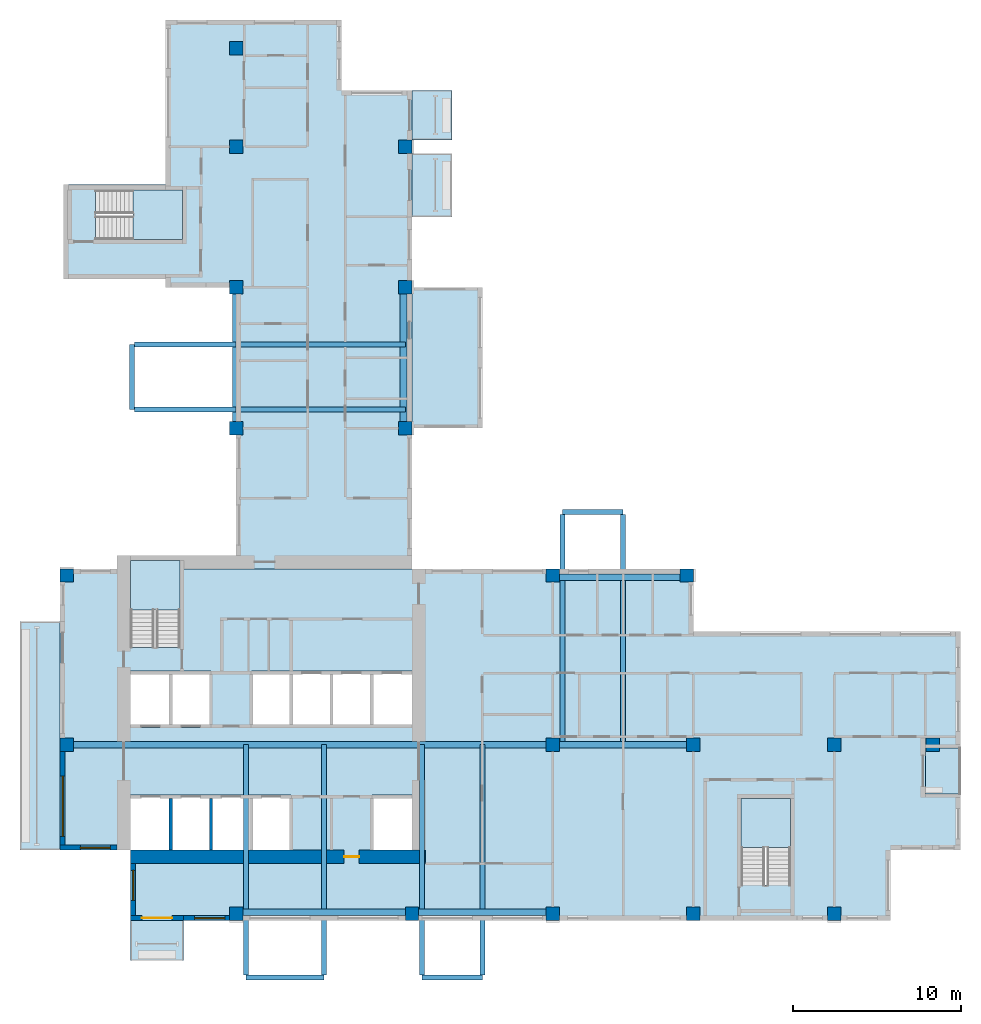
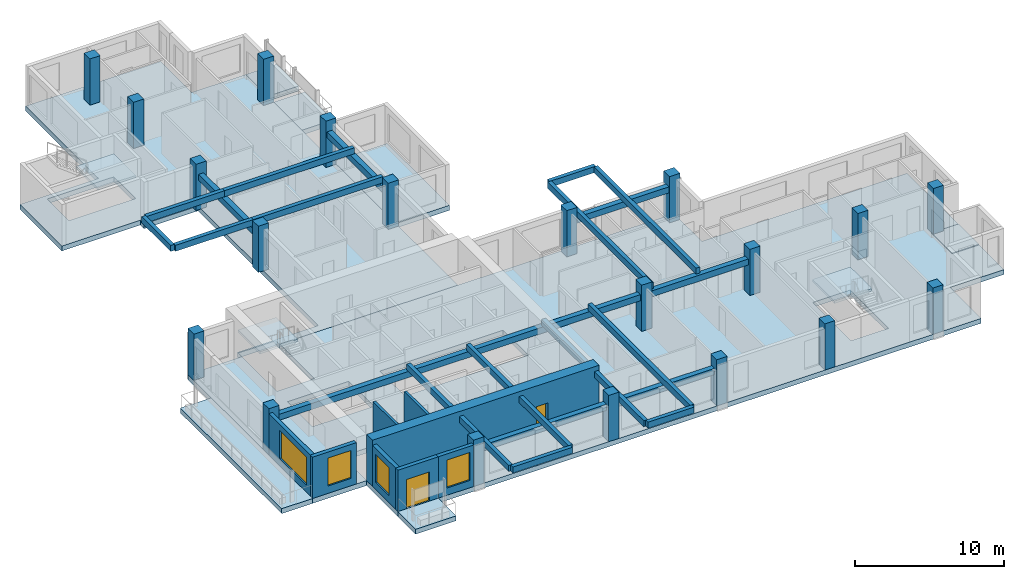
# One storey, part 1 of 12: 21 beams, 20 columns, 11 slabs, 8 walls, 4 windows, 2 doors, 6 openings, 3 elements without a shape of their own.
"""IFC4 building model written with IfcOpenShell, lengths in metres."""

from ifc_helpers import new_model, si_unit, direction, frame, frame_2d, origin, origin_2d, place, context, subcontext, project, spatial, polyline, rectangle, outline, extrude, source, transform, mapped, material, layer, layer_set, material_profile, profile_set, type_object, element, fill, aggregate, save


model = new_model("IFC4")

# Units and contexts
model_context = context("Model", 3, precision=1e-05, world=origin(), true_north=direction((0.0, 1.0)))
body_context = subcontext(model_context, "Body", "Model", "MODEL_VIEW")
ifc_project = project(units=[si_unit("LENGTHUNIT", "METRE"), si_unit("AREAUNIT", "SQUARE_METRE"), si_unit("VOLUMEUNIT", "CUBIC_METRE"), si_unit("PLANEANGLEUNIT", "RADIAN"), si_unit("MASSUNIT", "GRAM", prefix="KILO")], contexts=[model_context])

# Site, building, storey
site_placement = place(None, origin())
site = spatial("IfcSite", under=ifc_project, at=site_placement, CompositionType="ELEMENT")
building_placement = place(site_placement, origin())
building = spatial("IfcBuilding", under=site, at=building_placement, Name="Aurelian Terraces", CompositionType="ELEMENT")
storey_placement = place(building_placement, frame((0.0, 0.0, 238.6)))
storey = spatial("IfcBuildingStorey", under=building, at=storey_placement, Name="L54", CompositionType="ELEMENT", Elevation=238.6)

# Columns
ifc_material_1 = material(Name="Concrete fc' 70 MPa", Category="concrete")
ifc_material_profile_1 = material_profile(ifc_material_1, rectangle(XDim=0.8, YDim=0.8, at=origin_2d()))
ifc_profile_set_1 = profile_set([ifc_material_profile_1], Name="Concrete fc' 70 MPa")
column_type = type_object("IfcColumnType", Name="RC COLUMN 800X800 FC70", PredefinedType="COLUMN", material=ifc_profile_set_1)
shared_shape_1 = source(origin(), body_context, "Body", "SweptSolid", [
    extrude(rectangle(XDim=0.8, YDim=0.8, at=origin_2d()), origin(), (0.0, 0.0, 1.0), 3.8),
])
for number, where, z_axis, x_axis, name in (
    (1, (10.5, 0.4, 0.0), (0.0, 0.0, 1.0), (1.0, 0.0, 0.0), "Column 2/A L54"),
    (2, (21.0, 0.4, 0.0), (0.0, 0.0, 1.0), (1.0, 0.0, 0.0), "Column 3/A L54"),
    (3, (29.4, 0.4, 0.0), (0.0, 0.0, 1.0), (1.0, 0.0, 0.0), "Column 4/A L54"),
    (4, (37.8, 0.4, 0.0), (0.0, 0.0, 1.0), (1.0, 0.0, 0.0), "Column 5/A L54"),
    (5, (46.2, 0.4, 0.0), (0.0, 0.0, 1.0), (1.0, 0.0, 0.0), "Column 6/A L54"),
    (6, (0.4, 10.5, 0.0), (0.0, 0.0, 1.0), (1.0, 0.0, 0.0), "Column 1/B L54"),
    (7, (29.4, 10.5, 0.0), (0.0, 0.0, 1.0), (1.0, 0.0, 0.0), "Column 4/B L54"),
    (8, (37.8, 10.5, 0.0), (0.0, 0.0, 1.0), (1.0, 0.0, 0.0), "Column 5/B L54"),
    (9, (46.2, 10.5, 0.0), (0.0, 0.0, 1.0), (1.0, 0.0, 0.0), "Column 6/B L54"),
    (10, (52.08, 10.5, 0.0), (0.0, 0.0, 1.0), (1.0, 0.0, 0.0), "Column 7/B L54"),
    (11, (0.4, 20.6, 0.0), (0.0, 0.0, 1.0), (1.0, 0.0, 0.0), "Column 1/C L54"),
    (12, (29.4, 20.6, 0.0), (0.0, 0.0, 1.0), (1.0, 0.0, 0.0), "Column 4/C L54"),
    (13, (37.4, 20.6, 0.0), (0.0, 0.0, 1.0), (1.0, 0.0, 0.0), "Column 5/C L54"),
    (14, (10.5, 29.4, 0.0), (0.0, 0.0, 1.0), (1.0, 0.0, 0.0), "Column 2/D L54"),
    (15, (20.6, 29.4, 0.0), (0.0, 0.0, 1.0), (1.0, 0.0, 0.0), "Column 3/D L54"),
    (16, (10.5, 37.8, 0.0), (0.0, 0.0, 1.0), (1.0, 0.0, 0.0), "Column 2/E L54"),
    (17, (20.6, 37.8, 0.0), (0.0, 0.0, 1.0), (1.0, 0.0, 0.0), "Column 3/E L54"),
    (18, (10.5, 46.2, 0.0), (0.0, 0.0, 1.0), (1.0, 0.0, 0.0), "Column 2/F L54"),
    (19, (20.6, 46.2, 0.0), (0.0, 0.0, 1.0), (1.0, 0.0, 0.0), "Column 3/F L54"),
    (20, (10.5, 52.08, 0.0), (0.0, 0.0, 1.0), (1.0, 0.0, 0.0), "Column 2/G L54"),
):
    element("IfcColumn", number, at=place(storey_placement, frame(where, z_axis=z_axis, x_axis=x_axis)), inside=storey, type_object=column_type, Name=name, PredefinedType="COLUMN", context=body_context, shape_type="MappedRepresentation", body=[
        mapped(shared_shape_1, transform((0.0, 0.0, 0.0), scale=1.0)),
    ])

# Beams
ifc_material_2 = material(Name="Concrete fc' 40 MPa", Category="concrete")
ifc_material_profile_2 = material_profile(ifc_material_2, rectangle(XDim=0.3, YDim=0.5, at=origin_2d()))
ifc_profile_set_2 = profile_set([ifc_material_profile_2], Name="Concrete fc' 40 MPa")
beam_type_1 = type_object("IfcBeamType", Name="CONCRETE CANTILEVER BEAM 300X500", PredefinedType="BEAM", material=ifc_profile_set_2)
beam_1_placement = place(storey_placement, frame((10.5, 30.5, 3.15), z_axis=(1.0, 0.0, 0.0), x_axis=(0.0, 1.0, 0.0)))
element("IfcBeam", 21, at=beam_1_placement, inside=storey, type_object=beam_type_1, Name="Box back-span beam J82.1", PredefinedType="BEAM", context=body_context, shape_type="SweptSolid", body=[
    extrude(rectangle(XDim=0.3, YDim=0.5, at=origin_2d()), origin(), (0.0, 0.0, 1.0), 10.1),
])
ifc_material_profile_3 = material_profile(ifc_material_2, rectangle(XDim=0.4, YDim=0.5, at=origin_2d()))
ifc_profile_set_3 = profile_set([ifc_material_profile_3], Name="Concrete fc' 40 MPa")
beam_type_2 = type_object("IfcBeamType", Name="CONCRETE EDGE GIRDER 400X500", PredefinedType="BEAM", material=ifc_profile_set_3)
shared_shape_2 = source(origin(), body_context, "Body", "SweptSolid", [
    extrude(rectangle(XDim=0.4, YDim=0.5, at=origin_2d()), origin(), (0.0, 0.0, 1.0), 7.2),
])
beam_2_placement = place(storey_placement, frame((29.8, 20.5, 2.65), z_axis=(1.0, 0.0, 0.0), x_axis=(0.0, 1.0, 0.0)))
element("IfcBeam", 22, at=beam_2_placement, inside=storey, type_object=beam_type_2, Name="Box girder L54 O157", PredefinedType="BEAM", context=body_context, shape_type="MappedRepresentation", body=[
    mapped(shared_shape_2, transform((0.0, 0.0, 0.0), scale=1.0)),
])
ifc_material_profile_4 = material_profile(ifc_material_2, rectangle(XDim=0.3, YDim=0.5, at=origin_2d()))
ifc_profile_set_4 = profile_set([ifc_material_profile_4], Name="Concrete fc' 40 MPa")
beam_type_3 = type_object("IfcBeamType", Name="CONCRETE BOX CANTILEVER BEAM 300X500", PredefinedType="BEAM", material=ifc_profile_set_4)
shared_shape_3 = source(origin(), body_context, "Body", "SweptSolid", [
    extrude(rectangle(XDim=0.3, YDim=0.5, at=origin_2d()), origin(), (0.0, 0.0, 1.0), 6.05),
])
for number, where, z_axis, x_axis, name in (
    (23, (4.45, 30.5, 3.15), (1.0, 0.0, 0.0), (0.0, 1.0, 0.0), "Box cantilever beam J82.1"),
    (24, (4.45, 34.4, 3.15), (1.0, 0.0, 0.0), (0.0, 1.0, 0.0), "Box cantilever beam J82.2"),
):
    element("IfcBeam", number, at=place(storey_placement, frame(where, z_axis=z_axis, x_axis=x_axis)), inside=storey, type_object=beam_type_3, Name=name, PredefinedType="BEAM", context=body_context, shape_type="MappedRepresentation", body=[
        mapped(shared_shape_3, transform((0.0, 0.0, 0.0), scale=1.0)),
    ])
shared_shape_4 = source(origin(), body_context, "Body", "SweptSolid", [
    extrude(rectangle(XDim=0.3, YDim=0.5, at=origin_2d()), origin(), (0.0, 0.0, 1.0), 3.9),
])
beam_3_placement = place(storey_placement, frame((4.3, 30.5, 3.15), z_axis=(0.0, 1.0, 0.0), x_axis=(-1.0, 0.0, 0.0)))
element("IfcBeam", 25, at=beam_3_placement, inside=storey, type_object=beam_type_1, Name="Box tip beam J82", PredefinedType="BEAM", context=body_context, shape_type="MappedRepresentation", body=[
    mapped(shared_shape_4, transform((0.0, 0.0, 0.0), scale=1.0)),
])
shared_shape_5 = source(origin(), body_context, "Body", "SweptSolid", [
    extrude(rectangle(XDim=0.3, YDim=0.5, at=origin_2d()), origin(), (0.0, 0.0, 1.0), 13.75),
])
for number, where, z_axis, x_axis, name in (
    (26, (11.1, -3.25, 3.15), (0.0, 1.0, 0.0), (-1.0, 0.0, 0.0), "Box cantilever beam J79.1"),
    (27, (15.75, -3.25, 3.15), (0.0, 1.0, 0.0), (-1.0, 0.0, 0.0), "Box cantilever beam J79.2"),
    (28, (21.6, -3.25, 3.15), (0.0, 1.0, 0.0), (-1.0, 0.0, 0.0), "Box cantilever beam J80.1"),
    (29, (25.2, -3.25, 3.15), (0.0, 1.0, 0.0), (-1.0, 0.0, 0.0), "Box cantilever beam J80.2"),
    (30, (30.0, 24.25, 3.15), (0.0, -1.0, 0.0), (1.0, 0.0, 0.0), "Box cantilever beam J81.1"),
    (31, (33.6, 24.25, 3.15), (0.0, -1.0, 0.0), (1.0, 0.0, 0.0), "Box cantilever beam J81.2"),
):
    element("IfcBeam", number, at=place(storey_placement, frame(where, z_axis=z_axis, x_axis=x_axis)), inside=storey, type_object=beam_type_1, Name=name, PredefinedType="BEAM", context=body_context, shape_type="MappedRepresentation", body=[
        mapped(shared_shape_5, transform((0.0, 0.0, 0.0), scale=1.0)),
    ])
shared_shape_6 = source(origin(), body_context, "Body", "SweptSolid", [
    extrude(rectangle(XDim=0.4, YDim=0.5, at=origin_2d()), origin(), (0.0, 0.0, 1.0), 7.6),
])
for number, where, z_axis, x_axis, name in (
    (32, (21.4, 0.5, 2.65), (1.0, 0.0, 0.0), (0.0, 1.0, 0.0), "Box girder L54 O156"),
    (33, (29.8, 10.5, 2.65), (1.0, 0.0, 0.0), (0.0, 1.0, 0.0), "Box girder L54 I158"),
    (34, (10.5, 29.8, 2.65), (0.0, 1.0, 0.0), (-1.0, 0.0, 0.0), "Box girder L54 O159"),
    (35, (20.5, 29.8, 2.65), (0.0, 1.0, 0.0), (-1.0, 0.0, 0.0), "Box girder L54 I160"),
):
    element("IfcBeam", number, at=place(storey_placement, frame(where, z_axis=z_axis, x_axis=x_axis)), inside=storey, type_object=beam_type_2, Name=name, PredefinedType="BEAM", context=body_context, shape_type="MappedRepresentation", body=[
        mapped(shared_shape_6, transform((0.0, 0.0, 0.0), scale=1.0)),
    ])
shared_shape_7 = source(origin(), body_context, "Body", "SweptSolid", [
    extrude(rectangle(XDim=0.3, YDim=0.5, at=origin_2d()), origin(), (0.0, 0.0, 1.0), 3.6),
])
for number, where, z_axis, x_axis, name in (
    (36, (21.6, -3.4, 3.15), (1.0, 0.0, 0.0), (0.0, 1.0, 0.0), "Box tip beam J80"),
    (37, (30.0, 24.4, 3.15), (1.0, 0.0, 0.0), (0.0, 1.0, 0.0), "Box tip beam J81"),
):
    element("IfcBeam", number, at=place(storey_placement, frame(where, z_axis=z_axis, x_axis=x_axis)), inside=storey, type_object=beam_type_1, Name=name, PredefinedType="BEAM", context=body_context, shape_type="MappedRepresentation", body=[
        mapped(shared_shape_7, transform((0.0, 0.0, 0.0), scale=1.0)),
    ])
shared_shape_8 = source(origin(), body_context, "Body", "SweptSolid", [
    extrude(rectangle(XDim=0.4, YDim=0.5, at=origin_2d()), origin(), (0.0, 0.0, 1.0), 9.7),
])
beam_4_placement = place(storey_placement, frame((10.9, 0.5, 2.65), z_axis=(1.0, 0.0, 0.0), x_axis=(0.0, 1.0, 0.0)))
element("IfcBeam", 38, at=beam_4_placement, inside=storey, type_object=beam_type_2, Name="Box girder L54 O154", PredefinedType="BEAM", context=body_context, shape_type="MappedRepresentation", body=[
    mapped(shared_shape_8, transform((0.0, 0.0, 0.0), scale=1.0)),
])
shared_shape_9 = source(origin(), body_context, "Body", "SweptSolid", [
    extrude(rectangle(XDim=0.4, YDim=0.5, at=origin_2d()), origin(), (0.0, 0.0, 1.0), 28.2),
])
beam_5_placement = place(storey_placement, frame((0.8, 10.5, 2.65), z_axis=(1.0, 0.0, 0.0), x_axis=(0.0, 1.0, 0.0)))
element("IfcBeam", 39, at=beam_5_placement, inside=storey, type_object=beam_type_2, Name="Box girder L54 I155", PredefinedType="BEAM", context=body_context, shape_type="MappedRepresentation", body=[
    mapped(shared_shape_9, transform((0.0, 0.0, 0.0), scale=1.0)),
])
shared_shape_10 = source(origin(), body_context, "Body", "SweptSolid", [
    extrude(rectangle(XDim=0.3, YDim=0.5, at=origin_2d()), origin(), (0.0, 0.0, 1.0), 4.65),
])
beam_6_placement = place(storey_placement, frame((11.1, -3.4, 3.15), z_axis=(1.0, 0.0, 0.0), x_axis=(0.0, 1.0, 0.0)))
element("IfcBeam", 40, at=beam_6_placement, inside=storey, type_object=beam_type_1, Name="Box tip beam J79", PredefinedType="BEAM", context=body_context, shape_type="MappedRepresentation", body=[
    mapped(shared_shape_10, transform((0.0, 0.0, 0.0), scale=1.0)),
])
shared_shape_11 = source(origin(), body_context, "Body", "SweptSolid", [
    extrude(rectangle(XDim=0.3, YDim=0.5, at=origin_2d()), origin(), (0.0, 0.0, 1.0), 10.1),
])
beam_7_placement = place(storey_placement, frame((10.5, 34.4, 3.15), z_axis=(1.0, 0.0, 0.0), x_axis=(0.0, 1.0, 0.0)))
element("IfcBeam", 41, at=beam_7_placement, inside=storey, type_object=beam_type_1, Name="Box back-span beam J82.2", PredefinedType="BEAM", context=body_context, shape_type="MappedRepresentation", body=[
    mapped(shared_shape_11, transform((0.0, 0.0, 0.0), scale=1.0)),
])

# Slabs
ifc_layer_1 = layer(ifc_material_2, 0.4)
ifc_layer_set_1 = layer_set([ifc_layer_1], Name="Balcony slab 400")
slab_type_1 = type_object("IfcSlabType", Name="Balcony slab 400", PredefinedType="NOTDEFINED", material=ifc_layer_set_1)
slab_1_placement = place(storey_placement, frame((0.0, 0.0, -0.4)))
element("IfcSlab", 42, at=slab_1_placement, inside=storey, type_object=slab_type_1, Name="Balcony slab L54 F08.21", PredefinedType="NOTDEFINED", context=body_context, shape_type="SweptSolid", body=[
    extrude(outline(polyline([(21.0, 42.0), (21.0, 45.8), (23.4, 45.8), (23.4, 42.0), (21.0, 42.0)])), origin(), (0.0, 0.0, 1.0), 0.4),
])
ifc_layer_2 = layer(ifc_material_2, 0.4)
ifc_layer_set_2 = layer_set([ifc_layer_2], Name="PT FLAT PLATE 400")
slab_type_2 = type_object("IfcSlabType", Name="PT FLAT PLATE 400", PredefinedType="FLOOR", material=ifc_layer_set_2)
shared_shape_12 = source(origin(), body_context, "Body", "SweptSolid", [
    extrude(outline(polyline([(6.3, 43.95), (6.3, 49.56), (6.3, 53.76), (10.5, 53.76), (16.8, 53.76), (16.8, 49.56), (21.0, 49.56), (21.0, 21.0), (7.14, 21.0), (7.14, 21.49), (4.21, 21.49), (4.21, 21.0), (4.2, 21.0), (4.2, 21.6), (6.3, 21.6), (10.5, 21.6), (10.5, 37.8), (6.3, 37.8), (6.3, 38.3), (0.2, 38.3), (0.2, 43.95), (6.3, 43.95)]), holes=[polyline([(7.29, 43.59), (2.11, 43.59), (2.11, 40.66), (7.29, 40.66), (7.29, 43.59)])]), origin(), (0.0, 0.0, 1.0), 0.4),
])
slab_2_placement = place(storey_placement, frame((0.0, 0.0, -0.4)))
element("IfcSlab", 43, at=slab_2_placement, inside=storey, type_object=slab_type_2, Name="Floor slab W L54", PredefinedType="FLOOR", context=body_context, shape_type="MappedRepresentation", body=[
    mapped(shared_shape_12, transform((0.0, 0.0, 0.0), scale=1.0)),
])
shared_shape_13 = source(origin(), body_context, "Body", "SweptSolid", [
    extrude(outline(polyline([(53.76, 4.2), (49.56, 4.2), (49.56, 0.0), (21.0, 0.0), (4.2, 0.0), (4.2, 4.2), (0.0, 4.2), (0.0, 21.0), (4.21, 21.0), (4.21, 16.31), (7.14, 16.31), (7.14, 21.0), (21.0, 21.0), (37.8, 21.0), (37.8, 17.25), (49.56, 17.25), (53.76, 17.25), (53.76, 16.8), (53.76, 16.65), (53.76, 4.2)]), holes=[polyline([(40.66, 2.11), (43.59, 2.11), (43.59, 7.29), (40.66, 7.29), (40.66, 2.11)]), polyline([(18.61, 7.49), (18.61, 4.21), (20.99, 4.21), (20.99, 7.49), (18.61, 7.49)]), polyline([(20.99, 14.89), (11.41, 14.89), (11.41, 11.51), (20.99, 11.51), (20.99, 14.89)]), polyline([(4.21, 7.49), (4.21, 4.21), (13.79, 4.21), (13.79, 7.49), (4.21, 7.49)]), polyline([(4.21, 14.89), (4.21, 11.51), (8.99, 11.51), (8.99, 14.89), (4.21, 14.89)])]), origin(), (0.0, 0.0, 1.0), 0.4),
])
slab_3_placement = place(storey_placement, frame((0.0, 0.0, -0.4)))
element("IfcSlab", 44, at=slab_3_placement, inside=storey, type_object=slab_type_2, Name="Floor slab S L54", PredefinedType="FLOOR", context=body_context, shape_type="MappedRepresentation", body=[
    mapped(shared_shape_13, transform((0.0, 0.0, 0.0), scale=1.0)),
])
ifc_layer_3 = layer(ifc_material_2, 0.41)
ifc_layer_set_3 = layer_set([ifc_layer_3], Name="Box floor 410")
slab_type_3 = type_object("IfcSlabType", Name="Box floor 410", PredefinedType="NOTDEFINED", material=ifc_layer_set_3)
shared_shape_14 = source(origin(), body_context, "Body", "SweptSolid", [
    extrude(outline(polyline([(25.2, 29.4), (25.2, 37.8), (21.0, 37.8), (21.0, 29.4), (25.2, 29.4)])), origin(), (0.0, 0.0, 1.0), 0.41),
])
slab_4_placement = place(storey_placement, frame((0.0, 0.0, -0.41)))
element("IfcSlab", 45, at=slab_4_placement, inside=storey, type_object=slab_type_3, Name="Box floor L54 J78", PredefinedType="NOTDEFINED", context=body_context, shape_type="MappedRepresentation", body=[
    mapped(shared_shape_14, transform((0.0, 0.0, 0.0), scale=1.0)),
])
shared_shape_15 = source(origin(), body_context, "Body", "SweptSolid", [
    extrude(outline(polyline([(0.0, 17.85), (0.0, 4.2), (-2.4, 4.2), (-2.4, 17.85), (0.0, 17.85)])), origin(), (0.0, 0.0, 1.0), 0.4),
])
slab_5_placement = place(storey_placement, frame((0.0, 0.0, -0.4)))
element("IfcSlab", 46, at=slab_5_placement, inside=storey, type_object=slab_type_1, Name="Balcony slab L54 F22.38", PredefinedType="NOTDEFINED", context=body_context, shape_type="MappedRepresentation", body=[
    mapped(shared_shape_15, transform((0.0, 0.0, 0.0), scale=1.0)),
])
shared_shape_16 = source(origin(), body_context, "Body", "SweptSolid", [
    extrude(outline(polyline([(4.2, 0.0), (7.35, 0.0), (7.35, -2.4), (4.2, -2.4), (4.2, 0.0)])), origin(), (0.0, 0.0, 1.0), 0.4),
])
slab_6_placement = place(storey_placement, frame((0.0, 0.0, -0.4)))
element("IfcSlab", 47, at=slab_6_placement, inside=storey, type_object=slab_type_1, Name="Balcony slab L54 F01.1", PredefinedType="NOTDEFINED", context=body_context, shape_type="MappedRepresentation", body=[
    mapped(shared_shape_16, transform((0.0, 0.0, 0.0), scale=1.0)),
])
ifc_material_3 = material(Name="Granite paving", Category="masonry")
ifc_layer_4 = layer(ifc_material_3, 0.05)
ifc_layer_set_4 = layer_set([ifc_layer_4], Name="Loggia paving 50")
slab_type_4 = type_object("IfcSlabType", Name="Loggia paving 50", PredefinedType="NOTDEFINED", material=ifc_layer_set_4)
shared_shape_17 = source(origin(), body_context, "Body", "SweptSolid", [
    extrude(outline(polyline([(53.76, 7.55), (53.76, 10.3), (51.66, 10.3), (51.66, 7.55), (53.76, 7.55)])), origin(), (0.0, 0.0, 1.0), 0.05),
])
slab_7_placement = place(storey_placement, origin())
element("IfcSlab", 48, at=slab_7_placement, inside=storey, type_object=slab_type_4, Name="Loggia floor L54 F04.12", PredefinedType="NOTDEFINED", context=body_context, shape_type="MappedRepresentation", body=[
    mapped(shared_shape_17, transform((0.0, 0.0, 0.0), scale=1.0)),
])
shared_shape_18 = source(origin(), body_context, "Body", "SweptSolid", [
    extrude(outline(polyline([(21.0, 46.6), (21.0, 49.56), (23.4, 49.56), (23.4, 46.6), (21.0, 46.6)])), origin(), (0.0, 0.0, 1.0), 0.4),
])
slab_8_placement = place(storey_placement, frame((0.0, 0.0, -0.4)))
element("IfcSlab", 49, at=slab_8_placement, inside=storey, type_object=slab_type_1, Name="Balcony slab L54 F08.22", PredefinedType="NOTDEFINED", context=body_context, shape_type="MappedRepresentation", body=[
    mapped(shared_shape_18, transform((0.0, 0.0, 0.0), scale=1.0)),
])

# Stair, slab
stair_type = type_object("IfcStairType", Name="Stair 1400", PredefinedType="HALF_TURN_STAIR", material=ifc_material_2)
stair_1_placement = place(storey_placement, origin())
stair_1 = element("IfcStair", 50, at=stair_1_placement, inside=storey, type_object=stair_type, Name="L54 S1", PredefinedType="HALF_TURN_STAIR")
ifc_layer_5 = layer(ifc_material_2, 0.2)
ifc_layer_set_5 = layer_set([ifc_layer_5], Name="Stair landing 200")
slab_type_5 = type_object("IfcSlabType", Name="Stair landing 200", PredefinedType="LANDING", material=ifc_layer_set_5)
shared_shape_19 = source(origin(), body_context, "Body", "SweptSolid", [
    extrude(outline(polyline([(7.15, 18.55), (7.15, 21.5), (4.2, 21.5), (4.2, 18.55), (7.15, 18.55)])), origin(), (0.0, 0.0, 1.0), 0.2),
])
slab_9_placement = place(storey_placement, frame((0.0, 0.0, 1.7)))
slab_9 = element("IfcSlab", 51, at=slab_9_placement, type_object=slab_type_5, Name="S1 landing 1", PredefinedType="LANDING", context=body_context, shape_type="MappedRepresentation", body=[
    mapped(shared_shape_19, transform((0.0, 0.0, 0.0), scale=1.0)),
])
aggregate(stair_1, [slab_9])

stair_2_placement = place(storey_placement, origin())
stair_2 = element("IfcStair", 52, at=stair_2_placement, inside=storey, type_object=stair_type, Name="L54 S2", PredefinedType="HALF_TURN_STAIR")
shared_shape_20 = source(origin(), body_context, "Body", "SweptSolid", [
    extrude(outline(polyline([(43.6, 4.35), (43.6, 7.3), (40.65, 7.3), (40.65, 4.35), (43.6, 4.35)])), origin(), (0.0, 0.0, 1.0), 0.2),
])
slab_10_placement = place(storey_placement, frame((0.0, 0.0, 1.7)))
slab_10 = element("IfcSlab", 53, at=slab_10_placement, type_object=slab_type_5, Name="S2 landing 1", PredefinedType="LANDING", context=body_context, shape_type="MappedRepresentation", body=[
    mapped(shared_shape_20, transform((0.0, 0.0, 0.0), scale=1.0)),
])
aggregate(stair_2, [slab_10])

stair_3_placement = place(storey_placement, origin())
stair_3 = element("IfcStair", 54, at=stair_3_placement, inside=storey, type_object=stair_type, Name="L54 S3", PredefinedType="HALF_TURN_STAIR")
shared_shape_21 = source(origin(), body_context, "Body", "SweptSolid", [
    extrude(outline(polyline([(4.35, 40.65), (7.3, 40.65), (7.3, 43.6), (4.35, 43.6), (4.35, 40.65)])), origin(), (0.0, 0.0, 1.0), 0.2),
])
slab_11_placement = place(storey_placement, frame((0.0, 0.0, 1.7)))
slab_11 = element("IfcSlab", 55, at=slab_11_placement, type_object=slab_type_5, Name="S3 landing 1", PredefinedType="LANDING", context=body_context, shape_type="MappedRepresentation", body=[
    mapped(shared_shape_21, transform((0.0, 0.0, 0.0), scale=1.0)),
])
aggregate(stair_3, [slab_11])

# Wall, opening, door
ifc_layer_6 = layer(ifc_material_1, 0.8)
ifc_layer_set_6 = layer_set([ifc_layer_6], Name="CORE WALL 800 FC70")
wall_type_1 = type_object("IfcWallType", Name="CORE WALL 800 FC70", PredefinedType="SHEAR", material=ifc_layer_set_6)
shared_shape_22 = source(origin(), body_context, "Body", "SweptSolid", [
    extrude(rectangle(XDim=17.6, YDim=0.8, at=frame_2d((8.8, 0.0))), origin(), (0.0, 0.0, 1.0), 3.8),
])
wall_1_placement = place(storey_placement, frame((4.2, 3.8, 0.0), z_axis=(0.0, 0.0, 1.0), x_axis=(1.0, 0.0, 0.0)))
wall_1 = element("IfcWall", 56, at=wall_1_placement, inside=storey, type_object=wall_type_1, Name="Core wall S L54", PredefinedType="SHEAR", context=body_context, shape_type="MappedRepresentation", body=[
    mapped(shared_shape_22, transform((0.0, 0.0, 0.0), scale=1.0)),
])
shared_shape_23 = source(origin(), body_context, "Body", "SweptSolid", [
    extrude(rectangle(XDim=0.9, YDim=2.1, at=frame_2d((0.45, 1.05))), frame((0.0, 0.41, 0.0), z_axis=(0.0, -1.0, 0.0), x_axis=(1.0, 0.0, 0.0)), (0.0, 0.0, 1.0), 0.82),
])
opening_1_placement = place(wall_1_placement, frame((12.75, 0.0, 0.0)))
opening_1 = element("IfcOpeningElement", 57, at=opening_1_placement, cuts=wall_1, Name="Opening 65727", PredefinedType="OPENING", context=body_context, shape_type="MappedRepresentation", body=[
    mapped(shared_shape_23, transform((0.0, 0.0, 0.0), scale=1.0)),
])
ifc_material_4 = material(Name="Steel door leaf", Category="steel")
door_type_1 = type_object("IfcDoorType", Name="Core service door 900x2100 right", OperationType="SINGLE_SWING_RIGHT", PredefinedType="DOOR", material=ifc_material_4)
shared_shape_24 = source(origin(), body_context, "Body", "SweptSolid", [
    extrude(rectangle(XDim=0.9, YDim=2.1, at=frame_2d((0.45, 1.05))), frame((0.0, 0.025, 0.0), z_axis=(0.0, -1.0, 0.0), x_axis=(1.0, 0.0, 0.0)), (0.0, 0.0, 1.0), 0.05),
])
door_1_placement = place(opening_1_placement, origin())
door_1 = element("IfcDoor", 58, at=door_1_placement, inside=storey, type_object=door_type_1, Name="Core door 65727", OperationType="SINGLE_SWING_RIGHT", OverallHeight=2.1, OverallWidth=0.9, PredefinedType="DOOR", context=body_context, shape_type="MappedRepresentation", body=[
    mapped(shared_shape_24, transform((0.0, 0.0, 0.0), scale=1.0)),
])
fill(opening_1, door_1)

# Wall, opening, window
ifc_material_5 = material(Name="Terracotta rainscreen cladding", Category="masonry")
ifc_layer_7 = layer(ifc_material_5, 0.3)
ifc_layer_set_7 = layer_set([ifc_layer_7], Name="EW-300")
wall_type_2 = type_object("IfcWallType", Name="EW-300", PredefinedType="STANDARD", material=ifc_layer_set_7)
shared_shape_25 = source(origin(), body_context, "Body", "SweptSolid", [
    extrude(rectangle(XDim=3.4, YDim=0.3, at=frame_2d((1.7, 0.0))), origin(), (0.0, 0.0, 1.0), 3.4),
])
wall_2_placement = place(storey_placement, frame((0.0, 4.35, 0.0), z_axis=(0.0, 0.0, 1.0), x_axis=(1.0, 0.0, 0.0)))
wall_2 = element("IfcWall", 59, at=wall_2_placement, inside=storey, type_object=wall_type_2, Name="External wall L54 F23.39", PredefinedType="STANDARD", context=body_context, shape_type="MappedRepresentation", body=[
    mapped(shared_shape_25, transform((0.0, 0.0, 0.0), scale=1.0)),
])
shared_shape_26 = source(origin(), body_context, "Body", "SweptSolid", [
    extrude(rectangle(XDim=1.8, YDim=2.3, at=frame_2d((0.9, 1.15))), frame((0.0, 0.16, 0.0), z_axis=(0.0, -1.0, 0.0), x_axis=(1.0, 0.0, 0.0)), (0.0, 0.0, 1.0), 0.32),
])
opening_2_placement = place(wall_2_placement, frame((1.2, 0.0, 0.6)))
opening_2 = element("IfcOpeningElement", 60, at=opening_2_placement, cuts=wall_2, Name="Opening W1823", PredefinedType="OPENING", context=body_context, shape_type="MappedRepresentation", body=[
    mapped(shared_shape_26, transform((0.0, 0.0, 0.0), scale=1.0)),
])
ifc_material_6 = material(Name="Clear glazing", Category="glass")
window_type_1 = type_object("IfcWindowType", Name="W-1800x2300", PartitioningType="SINGLE_PANEL", PredefinedType="WINDOW", material=ifc_material_6)
shared_shape_27 = source(origin(), body_context, "Body", "SweptSolid", [
    extrude(rectangle(XDim=1.8, YDim=2.3, at=frame_2d((0.9, 1.15))), frame((0.0, 0.03, 0.0), z_axis=(0.0, -1.0, 0.0), x_axis=(1.0, 0.0, 0.0)), (0.0, 0.0, 1.0), 0.06),
])
window_1_placement = place(opening_2_placement, origin())
window_1 = element("IfcWindow", 61, at=window_1_placement, inside=storey, type_object=window_type_1, Name="Window L54 L54-F23-39-0", OverallHeight=2.3, OverallWidth=1.8, PartitioningType="SINGLE_PANEL", PredefinedType="WINDOW", context=body_context, shape_type="MappedRepresentation", body=[
    mapped(shared_shape_27, transform((0.0, 0.0, 0.0), scale=1.0)),
])
fill(opening_2, window_1)

wall_3_placement = place(storey_placement, frame((4.35, 3.4, 0.0), z_axis=(0.0, 0.0, 1.0), x_axis=(0.0, -1.0, 0.0)))
wall_3 = element("IfcWall", 62, at=wall_3_placement, inside=storey, type_object=wall_type_2, Name="External wall L54 F24.40", PredefinedType="STANDARD", context=body_context, shape_type="MappedRepresentation", body=[
    mapped(shared_shape_25, transform((0.0, 0.0, 0.0), scale=1.0)),
])
opening_3_placement = place(wall_3_placement, frame((0.4, 0.0, 0.6)))
opening_3 = element("IfcOpeningElement", 63, at=opening_3_placement, cuts=wall_3, Name="Opening W1823", PredefinedType="OPENING", context=body_context, shape_type="MappedRepresentation", body=[
    mapped(shared_shape_26, transform((0.0, 0.0, 0.0), scale=1.0)),
])
window_2_placement = place(opening_3_placement, origin())
window_2 = element("IfcWindow", 64, at=window_2_placement, inside=storey, type_object=window_type_1, Name="Window L54 L54-F24-40-0", OverallHeight=2.3, OverallWidth=1.8, PartitioningType="SINGLE_PANEL", PredefinedType="WINDOW", context=body_context, shape_type="MappedRepresentation", body=[
    mapped(shared_shape_27, transform((0.0, 0.0, 0.0), scale=1.0)),
])
fill(opening_3, window_2)

# Wall, opening, door
shared_shape_28 = source(origin(), body_context, "Body", "SweptSolid", [
    extrude(rectangle(XDim=3.15, YDim=0.3, at=frame_2d((1.575, 0.0))), origin(), (0.0, 0.0, 1.0), 3.4),
])
wall_4_placement = place(storey_placement, frame((4.2, 0.15, 0.0), z_axis=(0.0, 0.0, 1.0), x_axis=(1.0, 0.0, 0.0)))
wall_4 = element("IfcWall", 65, at=wall_4_placement, inside=storey, type_object=wall_type_2, Name="External wall L54 F01.1", PredefinedType="STANDARD", context=body_context, shape_type="MappedRepresentation", body=[
    mapped(shared_shape_28, transform((0.0, 0.0, 0.0), scale=1.0)),
])
shared_shape_29 = source(origin(), body_context, "Body", "SweptSolid", [
    extrude(rectangle(XDim=1.8, YDim=2.4, at=frame_2d((0.9, 1.2))), frame((0.0, 0.16, 0.0), z_axis=(0.0, -1.0, 0.0), x_axis=(1.0, 0.0, 0.0)), (0.0, 0.0, 1.0), 0.32),
])
opening_4_placement = place(wall_4_placement, frame((0.675, 0.0, 0.0)))
opening_4 = element("IfcOpeningElement", 66, at=opening_4_placement, cuts=wall_4, Name="Opening 85401", PredefinedType="OPENING", context=body_context, shape_type="MappedRepresentation", body=[
    mapped(shared_shape_29, transform((0.0, 0.0, 0.0), scale=1.0)),
])
door_type_2 = type_object("IfcDoorType", Name="BD-1800x2400", OperationType="SLIDING_TO_LEFT", PredefinedType="DOOR", material=ifc_material_6)
shared_shape_30 = source(origin(), body_context, "Body", "SweptSolid", [
    extrude(rectangle(XDim=1.8, YDim=2.4, at=frame_2d((0.9, 1.2))), frame((0.0, 0.025, 0.0), z_axis=(0.0, -1.0, 0.0), x_axis=(1.0, 0.0, 0.0)), (0.0, 0.0, 1.0), 0.05),
])
door_2_placement = place(opening_4_placement, origin())
door_2 = element("IfcDoor", 67, at=door_2_placement, inside=storey, type_object=door_type_2, Name="Balcony door L54 F01.1", OperationType="SLIDING_TO_LEFT", OverallHeight=2.4, OverallWidth=1.8, PredefinedType="DOOR", context=body_context, shape_type="MappedRepresentation", body=[
    mapped(shared_shape_30, transform((0.0, 0.0, 0.0), scale=1.0)),
])
fill(opening_4, door_2)

# Wall, opening, window
shared_shape_31 = source(origin(), body_context, "Body", "SweptSolid", [
    extrude(rectangle(XDim=5.9, YDim=0.3, at=frame_2d((2.95, 0.0))), origin(), (0.0, 0.0, 1.0), 3.4),
])
wall_5_placement = place(storey_placement, frame((0.15, 10.1, 0.0), z_axis=(0.0, 0.0, 1.0), x_axis=(0.0, -1.0, 0.0)))
wall_5 = element("IfcWall", 68, at=wall_5_placement, inside=storey, type_object=wall_type_2, Name="External wall L54 F22.38", PredefinedType="STANDARD", context=body_context, shape_type="MappedRepresentation", body=[
    mapped(shared_shape_31, transform((0.0, 0.0, 0.0), scale=1.0)),
])
shared_shape_32 = source(origin(), body_context, "Body", "SweptSolid", [
    extrude(rectangle(XDim=3.6, YDim=2.3, at=frame_2d((1.8, 1.15))), frame((0.0, 0.16, 0.0), z_axis=(0.0, -1.0, 0.0), x_axis=(1.0, 0.0, 0.0)), (0.0, 0.0, 1.0), 0.32),
])
opening_5_placement = place(wall_5_placement, frame((1.475, 0.0, 0.6)))
opening_5 = element("IfcOpeningElement", 69, at=opening_5_placement, cuts=wall_5, Name="Opening W3623", PredefinedType="OPENING", context=body_context, shape_type="MappedRepresentation", body=[
    mapped(shared_shape_32, transform((0.0, 0.0, 0.0), scale=1.0)),
])
window_type_2 = type_object("IfcWindowType", Name="W-3600x2300", PartitioningType="SINGLE_PANEL", PredefinedType="WINDOW", material=ifc_material_6)
shared_shape_33 = source(origin(), body_context, "Body", "SweptSolid", [
    extrude(rectangle(XDim=3.6, YDim=2.3, at=frame_2d((1.8, 1.15))), frame((0.0, 0.03, 0.0), z_axis=(0.0, -1.0, 0.0), x_axis=(1.0, 0.0, 0.0)), (0.0, 0.0, 1.0), 0.06),
])
window_3_placement = place(opening_5_placement, origin())
window_3 = element("IfcWindow", 70, at=window_3_placement, inside=storey, type_object=window_type_2, Name="Window L54 L54-F22-38-2", OverallHeight=2.3, OverallWidth=3.6, PartitioningType="SINGLE_PANEL", PredefinedType="WINDOW", context=body_context, shape_type="MappedRepresentation", body=[
    mapped(shared_shape_33, transform((0.0, 0.0, 0.0), scale=1.0)),
])
fill(opening_5, window_3)

shared_shape_34 = source(origin(), body_context, "Body", "SweptSolid", [
    extrude(rectangle(XDim=2.75, YDim=0.3, at=frame_2d((1.375, 0.0))), origin(), (0.0, 0.0, 1.0), 3.4),
])
wall_6_placement = place(storey_placement, frame((7.35, 0.15, 0.0), z_axis=(0.0, 0.0, 1.0), x_axis=(1.0, 0.0, 0.0)))
wall_6 = element("IfcWall", 71, at=wall_6_placement, inside=storey, type_object=wall_type_2, Name="External wall L54 F01.2", PredefinedType="STANDARD", context=body_context, shape_type="MappedRepresentation", body=[
    mapped(shared_shape_34, transform((0.0, 0.0, 0.0), scale=1.0)),
])
opening_6_placement = place(wall_6_placement, frame((0.675, 0.0, 0.6)))
opening_6 = element("IfcOpeningElement", 72, at=opening_6_placement, cuts=wall_6, Name="Opening W1823", PredefinedType="OPENING", context=body_context, shape_type="MappedRepresentation", body=[
    mapped(shared_shape_26, transform((0.0, 0.0, 0.0), scale=1.0)),
])
window_4_placement = place(opening_6_placement, origin())
window_4 = element("IfcWindow", 73, at=window_4_placement, inside=storey, type_object=window_type_1, Name="Window L54 L54-F01-02-0", OverallHeight=2.3, OverallWidth=1.8, PartitioningType="SINGLE_PANEL", PredefinedType="WINDOW", context=body_context, shape_type="MappedRepresentation", body=[
    mapped(shared_shape_27, transform((0.0, 0.0, 0.0), scale=1.0)),
])
fill(opening_6, window_4)

# Walls
ifc_layer_8 = layer(ifc_material_2, 0.2)
ifc_layer_set_8 = layer_set([ifc_layer_8], Name="Lift shaft wall 200")
wall_type_3 = type_object("IfcWallType", Name="Lift shaft wall 200", PredefinedType="SOLIDWALL", material=ifc_layer_set_8)
shared_shape_35 = source(origin(), body_context, "Body", "SweptSolid", [
    extrude(rectangle(XDim=3.1, YDim=0.2, at=frame_2d((1.55, 0.0))), origin(), (0.0, 0.0, 1.0), 3.8),
])
for number, where, z_axis, x_axis, name in (
    (74, (6.6, 4.2, 0.0), (0.0, 0.0, 1.0), (0.0, 1.0, 0.0), "L54 core wall CD-A1"),
    (75, (9.0, 4.2, 0.0), (0.0, 0.0, 1.0), (0.0, 1.0, 0.0), "L54 core wall CD-A2"),
):
    element("IfcWall", number, at=place(storey_placement, frame(where, z_axis=z_axis, x_axis=x_axis)), inside=storey, type_object=wall_type_3, Name=name, PredefinedType="SOLIDWALL", context=body_context, shape_type="MappedRepresentation", body=[
        mapped(shared_shape_35, transform((0.0, 0.0, 0.0), scale=1.0)),
    ])

save(model, "model.ifc")
